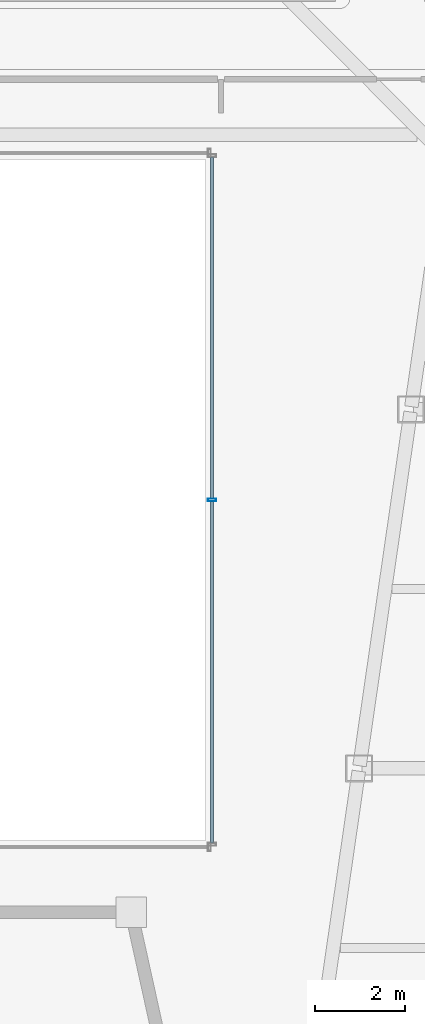
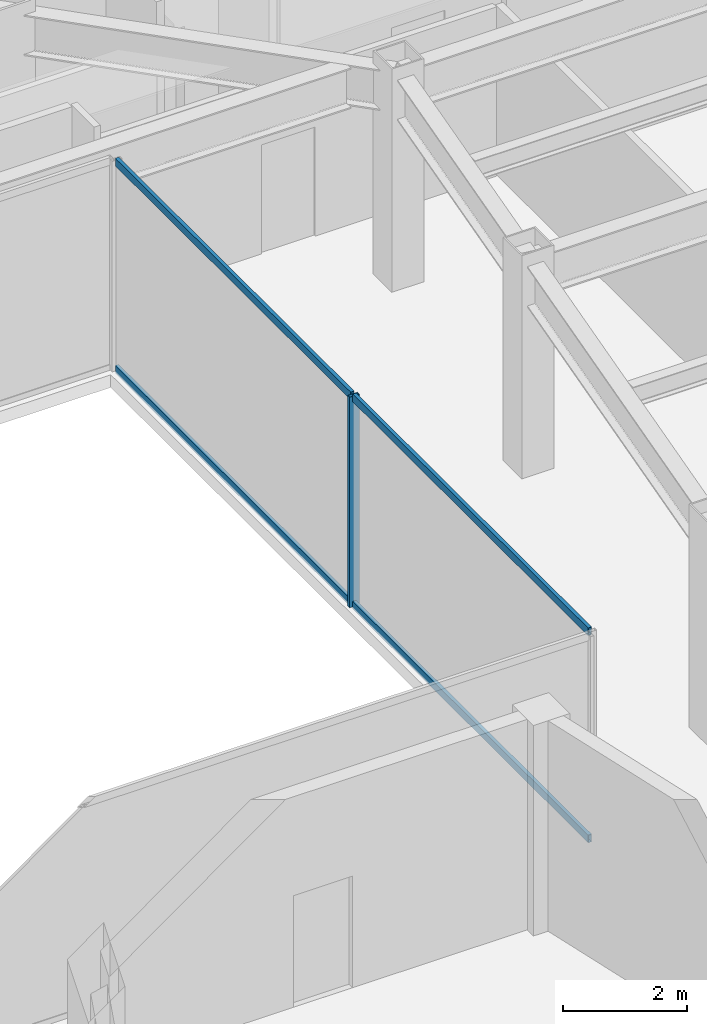
# One storey, part 9 of 35: 5 members, 1 element without a shape of its own.
"""IFC4 building model written with IfcOpenShell, lengths in metres."""

from ifc_helpers import new_model, si_unit, direction, frame, origin, origin_2d, place, context, subcontext, project, spatial, hollow_rectangle, extrude, material, material_profile, profile_set, type_object, element, aggregate, save


model = new_model("IFC4")

# Units and contexts
model_context = context("Model", 3, precision=1e-05, world=origin(), true_north=direction((0.0, 1.0)))
body_context = subcontext(model_context, "Body", "Model", "MODEL_VIEW")
ifc_project = project(units=[si_unit("LENGTHUNIT", "METRE"), si_unit("AREAUNIT", "SQUARE_METRE"), si_unit("VOLUMEUNIT", "CUBIC_METRE"), si_unit("PLANEANGLEUNIT", "RADIAN"), si_unit("MASSUNIT", "GRAM", prefix="KILO")], contexts=[model_context])

# Site, building, storey
site_placement = place(None, origin())
site = spatial("IfcSite", under=ifc_project, at=site_placement, CompositionType="ELEMENT")
building_placement = place(site_placement, origin())
building = spatial("IfcBuilding", under=site, at=building_placement, Name="Saevonmaru Cultural Tower", CompositionType="ELEMENT")
storey_placement = place(building_placement, frame((0.0, 0.0, 101.60009765625)))
storey = spatial("IfcBuildingStorey", under=building, at=storey_placement, Name="L21", CompositionType="ELEMENT", Elevation=101.60009765625)

# Curtain wall, members
ifc_material = material(Name="Satin Bronze Anodised Aluminium", Category="aluminium")
curtain_wall_type = type_object("IfcCurtainWallType", Name="CW-ATR-GLZ", PredefinedType="NOTDEFINED", material=ifc_material)
curtain_wall_placement = place(storey_placement, origin())
curtain_wall = element("IfcCurtainWall", 1, at=curtain_wall_placement, inside=storey, type_object=curtain_wall_type, Name="L21 Vertical Atrium Glazed Smoke Screen 2", PredefinedType="NOTDEFINED")
ifc_material_profile_1 = material_profile(ifc_material, hollow_rectangle(XDim=0.06494140625, YDim=0.179931640625, WallThickness=0.00390625, at=origin_2d()), Name="ALU-MULL-180x65x4")
ifc_profile_set_1 = profile_set([ifc_material_profile_1], Name="Satin Bronze Anodised Aluminium")
member_type_1 = type_object("IfcMemberType", Name="ML-CW-INT-180x65", PredefinedType="MULLION", material=ifc_profile_set_1)
member_1_placement = place(storey_placement, frame((35.949951171875, 29.97998046875, 0.0), z_axis=(0.0, 0.0, 1.0), x_axis=(0.0, 1.0, 0.0)))
member_1 = element("IfcMember", 2, at=member_1_placement, type_object=member_type_1, Name="CW-ATR-L21-2 mullion 2", PredefinedType="MULLION", context=body_context, shape_type="SweptSolid", body=[
    extrude(hollow_rectangle(XDim=0.06494140625, YDim=0.179931640625, WallThickness=0.00390625, at=origin_2d()), origin(), (0.0, 0.0, 1.0), 4.14990234375),
])
ifc_material_profile_2 = material_profile(ifc_material, hollow_rectangle(XDim=0.06494140625, YDim=0.14990234375, WallThickness=0.00390625, at=origin_2d()), Name="ALU-TRAN-150x65x4")
ifc_profile_set_2 = profile_set([ifc_material_profile_2], Name="Satin Bronze Anodised Aluminium")
member_type_2 = type_object("IfcMemberType", Name="TR-CW-INT-150x65", PredefinedType="USERDEFINED", material=ifc_profile_set_2)
member_2_placement = place(storey_placement, frame((35.949951171875, 22.342529296875, 0.032470703125), z_axis=(0.0, 1.0, 0.0), x_axis=(-1.0, 0.0, 0.0)))
member_2 = element("IfcMember", 3, at=member_2_placement, type_object=member_type_2, Name="CW-ATR-L21-2 transom 1.1", ObjectType="TRANSOM", PredefinedType="USERDEFINED", context=body_context, shape_type="SweptSolid", body=[
    extrude(hollow_rectangle(XDim=0.06494140625, YDim=0.14990234375, WallThickness=0.00390625, at=origin_2d()), origin(), (0.0, 0.0, 1.0), 7.60498046875),
])
member_3_placement = place(storey_placement, frame((35.949951171875, 22.342529296875, 4.117431640625), z_axis=(0.0, 1.0, 0.0), x_axis=(-1.0, 0.0, 0.0)))
member_3 = element("IfcMember", 4, at=member_3_placement, type_object=member_type_2, Name="CW-ATR-L21-2 transom 1.2", ObjectType="TRANSOM", PredefinedType="USERDEFINED", context=body_context, shape_type="SweptSolid", body=[
    extrude(hollow_rectangle(XDim=0.06494140625, YDim=0.14990234375, WallThickness=0.00390625, at=origin_2d()), origin(), (0.0, 0.0, 1.0), 7.60498046875),
])
member_4_placement = place(storey_placement, frame((35.949951171875, 30.012451171875, 0.032470703125), z_axis=(0.0, 1.0, 0.0), x_axis=(-1.0, 0.0, 0.0)))
member_4 = element("IfcMember", 5, at=member_4_placement, type_object=member_type_2, Name="CW-ATR-L21-2 transom 2.1", ObjectType="TRANSOM", PredefinedType="USERDEFINED", context=body_context, shape_type="SweptSolid", body=[
    extrude(hollow_rectangle(XDim=0.06494140625, YDim=0.14990234375, WallThickness=0.00390625, at=origin_2d()), origin(), (0.0, 0.0, 1.0), 7.60498046875),
])
member_5_placement = place(storey_placement, frame((35.949951171875, 30.012451171875, 4.117431640625), z_axis=(0.0, 1.0, 0.0), x_axis=(-1.0, 0.0, 0.0)))
member_5 = element("IfcMember", 6, at=member_5_placement, type_object=member_type_2, Name="CW-ATR-L21-2 transom 2.2", ObjectType="TRANSOM", PredefinedType="USERDEFINED", context=body_context, shape_type="SweptSolid", body=[
    extrude(hollow_rectangle(XDim=0.06494140625, YDim=0.14990234375, WallThickness=0.00390625, at=origin_2d()), origin(), (0.0, 0.0, 1.0), 7.60498046875),
])
aggregate(curtain_wall, [member_1, member_2, member_3, member_4, member_5])

save(model, "model.ifc")
